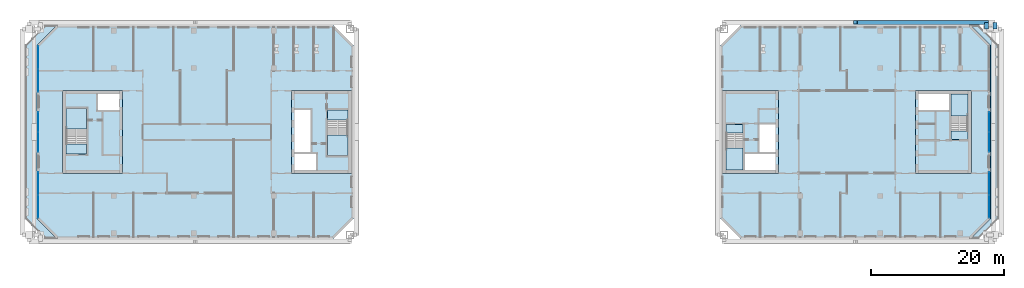
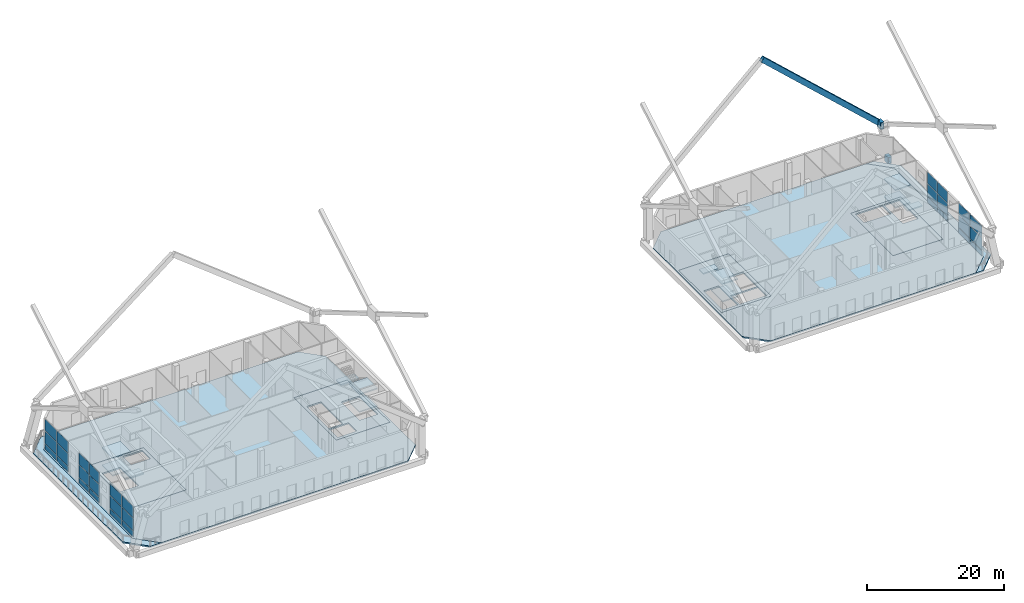
# One storey, part 7 of 20: 30 plates, 20 slabs, 2 beams, 1 member, 9 elements without a shape of their own.
"""IFC4 building model written with IfcOpenShell, lengths in metres."""

from ifc_helpers import new_model, si_unit, direction, frame, origin, origin_2d, place, context, subcontext, project, spatial, polyline, rectangle, hollow_rectangle, outline, extrude, material, layer, layer_set, material_profile, profile_set, type_object, element, aggregate, save


model = new_model("IFC4")

# Units and contexts
model_context = context("Model", 3, precision=1e-05, world=origin(), true_north=direction((0.0, 1.0)))
body_context = subcontext(model_context, "Body", "Model", "MODEL_VIEW")
ifc_project = project(units=[si_unit("LENGTHUNIT", "METRE"), si_unit("AREAUNIT", "SQUARE_METRE"), si_unit("VOLUMEUNIT", "CUBIC_METRE"), si_unit("PLANEANGLEUNIT", "RADIAN"), si_unit("MASSUNIT", "GRAM", prefix="KILO")], contexts=[model_context])

# Site, building, storey
site_placement = place(None, origin())
site = spatial("IfcSite", under=ifc_project, at=site_placement, CompositionType="ELEMENT")
building_placement = place(site_placement, origin())
building = spatial("IfcBuilding", under=site, at=building_placement, Name="Tuart Gate Housing", CompositionType="ELEMENT")
storey_placement = place(building_placement, frame((0.0, 0.0, 142.300048828125)))
storey = spatial("IfcBuildingStorey", under=building, at=storey_placement, Name="L40", CompositionType="ELEMENT", Elevation=142.300048828125)

# Beams
ifc_material_1 = material(Name="Steel Grade 350", Category="steel")
ifc_material_profile_1 = material_profile(ifc_material_1, hollow_rectangle(XDim=0.60009765625, YDim=1.199951171875, WallThickness=0.0400390625, at=origin_2d()), Name="BOX 1200x600x40")
ifc_profile_set_1 = profile_set([ifc_material_profile_1], Name="Steel Grade 350")
beam_type = type_object("IfcBeamType", Name="Brace shoe BOX 1200x600x40", PredefinedType="BEAM", material=ifc_profile_set_1)
for number, where, z_axis, x_axis, name in (
    (1, (172.199951171875, 85.449951171875, -0.400146484375), (0.0, 1.0, 0.0), (-1.0, 0.0, 0.0), "Mega tie beam B node 5 north shoe 1 L40"),
    (2, (170.949951171875, 85.449951171875, 6.199951171875), (0.0, 1.0, 0.0), (-1.0, 0.0, 0.0), "Mega brace shoe B zone 6 north chevron 2"),
):
    element("IfcBeam", number, at=place(storey_placement, frame(where, z_axis=z_axis, x_axis=x_axis)), inside=storey, type_object=beam_type, Name=name, PredefinedType="BEAM", context=body_context, shape_type="SweptSolid", body=[
        extrude(hollow_rectangle(XDim=0.60009765625, YDim=1.199951171875, WallThickness=0.0400390625, at=origin_2d()), origin(), (0.0, 0.0, 1.0), 1.0),
    ])

# Member
ifc_material_2 = material(Name="Steel Grade 350", Category="steel")
ifc_material_profile_2 = material_profile(ifc_material_2, hollow_rectangle(XDim=0.60009765625, YDim=0.85009765625, WallThickness=0.0419921875, at=origin_2d()), Name="BOX 850x600x42")
ifc_profile_set_2 = profile_set([ifc_material_profile_2], Name="Steel Grade 350")
member_type = type_object("IfcMemberType", Name="Mega brace BOX 850x600x42", PredefinedType="BRACE", material=ifc_profile_set_2)
member_placement = place(storey_placement, frame((170.949951171875, 86.449951171875, 6.199951171875), z_axis=(-0.734517555913, 0.0, 0.678589684607), x_axis=(0.0, -1.0, 0.0)))
element("IfcMember", 3, at=member_placement, inside=storey, type_object=member_type, Name="Mega brace B zone 6 north chevron 2", PredefinedType="BRACE", context=body_context, shape_type="SweptSolid", body=[
    extrude(hollow_rectangle(XDim=0.60009765625, YDim=0.85009765625, WallThickness=0.0419921875, at=origin_2d()), origin(), (0.0, 0.0, 1.0), 26.8203125),
])

# Slabs
ifc_material_3 = material(Name="Concrete C40", Category="concrete")
ifc_layer_1 = layer(ifc_material_3, 0.25)
ifc_layer_set_1 = layer_set([ifc_layer_1], Name="Core floor slab 250")
slab_type_1 = type_object("IfcSlabType", Name="Core floor slab 250", PredefinedType="FLOOR", material=ifc_layer_set_1)
slab_1_placement = place(storey_placement, frame((0.0, 0.0, -0.25)))
element("IfcSlab", 4, at=slab_1_placement, inside=storey, type_object=slab_type_1, Name="Core floor AG", PredefinedType="FLOOR", context=body_context, shape_type="SweptSolid", body=[
    extrude(outline(polyline([(66.639892578125, 63.800048828125), (75.639892578125, 63.800048828125), (75.639892578125, 76.199951171875), (66.639892578125, 76.199951171875), (66.639892578125, 63.800048828125)]), holes=[polyline([(67.139892578125, 64.300048828125), (70.385009765625, 64.300048828125), (70.385009765625, 66.72509765625), (67.139892578125, 66.72509765625), (67.139892578125, 64.300048828125)]), polyline([(67.139892578125, 66.97509765625), (69.56494140625, 66.97509765625), (69.56494140625, 73.324951171875), (67.139892578125, 73.324951171875), (67.139892578125, 66.97509765625)]), polyline([(72.06494140625, 66.47509765625), (75.139892578125, 66.47509765625), (75.139892578125, 71.804931640625), (72.06494140625, 71.804931640625), (72.06494140625, 66.47509765625)])]), origin(), (0.0, 0.0, 1.0), 0.25),
])
slab_2_placement = place(storey_placement, frame((0.0, 0.0, -0.25)))
element("IfcSlab", 5, at=slab_2_placement, inside=storey, type_object=slab_type_1, Name="Core floor AK", PredefinedType="FLOOR", context=body_context, shape_type="SweptSolid", body=[
    extrude(outline(polyline([(32.360107421875, 63.800048828125), (41.360107421875, 63.800048828125), (41.360107421875, 76.199951171875), (32.360107421875, 76.199951171875), (32.360107421875, 63.800048828125)]), holes=[polyline([(40.860107421875, 75.699951171875), (37.614990234375, 75.699951171875), (37.614990234375, 73.27490234375), (40.860107421875, 73.27490234375), (40.860107421875, 75.699951171875)]), polyline([(35.93505859375, 73.52490234375), (32.860107421875, 73.52490234375), (32.860107421875, 68.195068359375), (35.93505859375, 68.195068359375), (35.93505859375, 73.52490234375)])]), origin(), (0.0, 0.0, 1.0), 0.25),
])
slab_3_placement = place(storey_placement, frame((0.0, 0.0, -0.25)))
element("IfcSlab", 6, at=slab_3_placement, inside=storey, type_object=slab_type_1, Name="Core floor BG", PredefinedType="FLOOR", context=body_context, shape_type="SweptSolid", body=[
    extrude(outline(polyline([(131.360107421875, 63.800048828125), (139.760009765625, 63.800048828125), (139.760009765625, 76.199951171875), (131.360107421875, 76.199951171875), (131.360107421875, 63.800048828125)]), holes=[polyline([(139.260009765625, 66.85009765625), (134.68505859375, 66.85009765625), (134.68505859375, 64.300048828125), (139.260009765625, 64.300048828125), (139.260009765625, 66.85009765625)]), polyline([(139.260009765625, 71.125), (136.8349609375, 71.125), (136.8349609375, 66.97509765625), (139.260009765625, 66.97509765625), (139.260009765625, 71.125)]), polyline([(134.43505859375, 69.85498046875), (131.860107421875, 69.85498046875), (131.860107421875, 64.300048828125), (134.43505859375, 64.300048828125), (134.43505859375, 69.85498046875)])]), origin(), (0.0, 0.0, 1.0), 0.25),
])
slab_4_placement = place(storey_placement, frame((0.0, 0.0, -0.25)))
element("IfcSlab", 7, at=slab_4_placement, inside=storey, type_object=slab_type_1, Name="Core floor BK", PredefinedType="FLOOR", context=body_context, shape_type="SweptSolid", body=[
    extrude(outline(polyline([(160.239990234375, 63.800048828125), (168.639892578125, 63.800048828125), (168.639892578125, 76.199951171875), (160.239990234375, 76.199951171875), (160.239990234375, 63.800048828125)]), holes=[polyline([(160.739990234375, 73.14990234375), (165.31494140625, 73.14990234375), (165.31494140625, 75.699951171875), (160.739990234375, 75.699951171875), (160.739990234375, 73.14990234375)]), polyline([(165.56494140625, 70.14501953125), (168.139892578125, 70.14501953125), (168.139892578125, 75.699951171875), (165.56494140625, 75.699951171875), (165.56494140625, 70.14501953125)])]), origin(), (0.0, 0.0, 1.0), 0.25),
])
ifc_material_4 = material(Name="Concrete C40", Category="concrete")
ifc_layer_2 = layer(ifc_material_4, 0.25)
ifc_layer_set_2 = layer_set([ifc_layer_2], Name="Flat plate 250")
slab_type_2 = type_object("IfcSlabType", Name="Flat plate 250", PredefinedType="FLOOR", material=ifc_layer_set_2)
slab_5_placement = place(storey_placement, frame((0.0, 0.0, -0.25)))
element("IfcSlab", 8, at=slab_5_placement, inside=storey, type_object=slab_type_2, Name="Floor slab A L40", PredefinedType="FLOOR", context=body_context, shape_type="SweptSolid", body=[
    extrude(outline(polyline([(31.5, 86.0), (28.5, 83.0), (28.5, 57.0), (31.5, 54.0), (73.0, 54.0), (76.0, 57.0), (76.0, 83.0), (73.0, 86.0), (31.5, 86.0)]), holes=[polyline([(66.639892578125, 76.199951171875), (75.639892578125, 76.199951171875), (75.639892578125, 63.800048828125), (66.639892578125, 63.800048828125), (66.639892578125, 76.199951171875)]), polyline([(41.360107421875, 76.199951171875), (41.360107421875, 63.800048828125), (32.360107421875, 63.800048828125), (32.360107421875, 76.199951171875), (41.360107421875, 76.199951171875)])]), origin(), (0.0, 0.0, 1.0), 0.25),
])
slab_6_placement = place(storey_placement, frame((0.0, 0.0, -0.25)))
element("IfcSlab", 9, at=slab_6_placement, inside=storey, type_object=slab_type_2, Name="Floor slab B L40", PredefinedType="FLOOR", context=body_context, shape_type="SweptSolid", body=[
    extrude(outline(polyline([(134.0, 86.0), (131.0, 83.0), (131.0, 57.0), (134.0, 54.0), (168.5, 54.0), (171.5, 57.0), (171.5, 83.0), (168.5, 86.0), (134.0, 86.0)]), holes=[polyline([(131.360107421875, 76.199951171875), (139.760009765625, 76.199951171875), (139.760009765625, 63.800048828125), (131.360107421875, 63.800048828125), (131.360107421875, 76.199951171875)]), polyline([(168.639892578125, 76.199951171875), (168.639892578125, 63.800048828125), (160.239990234375, 63.800048828125), (160.239990234375, 76.199951171875), (168.639892578125, 76.199951171875)])]), origin(), (0.0, 0.0, 1.0), 0.25),
])

# Curtain wall, plates
ifc_material_5 = material(Name="Aluminium and clear glass", Category="aluminium")
curtain_wall_type = type_object("IfcCurtainWallType", Name="Sky garden front glazing", PredefinedType="USERDEFINED", material=ifc_material_5)
curtain_wall_1_placement = place(storey_placement, origin())
curtain_wall_1 = element("IfcCurtainWall", 10, at=curtain_wall_1_placement, inside=storey, type_object=curtain_wall_type, Name="Sky garden front glazing A-W L40", ObjectType="SKY GARDEN FRONT GLAZING", PredefinedType="USERDEFINED")
ifc_material_6 = material(Name="Clear glass", Category="glass")
ifc_layer_3 = layer(ifc_material_6, 0.028076171875)
ifc_layer_set_3 = layer_set([ifc_layer_3], Name="Glazed panel 28")
plate_type = type_object("IfcPlateType", Name="Glazed panel 28", PredefinedType="CURTAIN_PANEL", material=ifc_layer_set_3)
plate_1_placement = place(storey_placement, frame((28.679931640625, 81.178955078125, 0.119873046875), z_axis=(0.0, 0.0, 1.0), x_axis=(0.0, -1.0, 0.0)))
plate_1 = element("IfcPlate", 11, at=plate_1_placement, type_object=plate_type, Name="CW4 panel 1.1", PredefinedType="CURTAIN_PANEL", context=body_context, shape_type="SweptSolid", body=[
    extrude(rectangle(XDim=3.372802734375, YDim=0.028076171875, at=origin_2d()), origin(), (0.0, 0.0, 1.0), 0.919921875),
])
plate_2_placement = place(storey_placement, frame((28.679931640625, 81.178955078125, 1.16015625), z_axis=(0.0, 0.0, 1.0), x_axis=(0.0, -1.0, 0.0)))
plate_2 = element("IfcPlate", 12, at=plate_2_placement, type_object=plate_type, Name="CW4 panel 1.2", PredefinedType="CURTAIN_PANEL", context=body_context, shape_type="SweptSolid", body=[
    extrude(rectangle(XDim=3.372802734375, YDim=0.028076171875, at=origin_2d()), origin(), (0.0, 0.0, 1.0), 2.179931640625),
])
plate_3_placement = place(storey_placement, frame((28.679931640625, 81.178955078125, 3.4599609375), z_axis=(0.0, 0.0, 1.0), x_axis=(0.0, -1.0, 0.0)))
plate_3 = element("IfcPlate", 13, at=plate_3_placement, type_object=plate_type, Name="CW4 panel 1.3", PredefinedType="CURTAIN_PANEL", context=body_context, shape_type="SweptSolid", body=[
    extrude(rectangle(XDim=3.372802734375, YDim=0.028076171875, at=origin_2d()), origin(), (0.0, 0.0, 1.0), 2.02001953125),
])
plate_4_placement = place(storey_placement, frame((28.679931640625, 77.746337890625, 0.119873046875), z_axis=(0.0, 0.0, 1.0), x_axis=(0.0, -1.0, 0.0)))
plate_4 = element("IfcPlate", 14, at=plate_4_placement, type_object=plate_type, Name="CW4 panel 2.1", PredefinedType="CURTAIN_PANEL", context=body_context, shape_type="SweptSolid", body=[
    extrude(rectangle(XDim=3.372802734375, YDim=0.028076171875, at=origin_2d()), origin(), (0.0, 0.0, 1.0), 0.919921875),
])
plate_5_placement = place(storey_placement, frame((28.679931640625, 77.746337890625, 1.16015625), z_axis=(0.0, 0.0, 1.0), x_axis=(0.0, -1.0, 0.0)))
plate_5 = element("IfcPlate", 15, at=plate_5_placement, type_object=plate_type, Name="CW4 panel 2.2", PredefinedType="CURTAIN_PANEL", context=body_context, shape_type="SweptSolid", body=[
    extrude(rectangle(XDim=3.372802734375, YDim=0.028076171875, at=origin_2d()), origin(), (0.0, 0.0, 1.0), 2.179931640625),
])
plate_6_placement = place(storey_placement, frame((28.679931640625, 77.746337890625, 3.4599609375), z_axis=(0.0, 0.0, 1.0), x_axis=(0.0, -1.0, 0.0)))
plate_6 = element("IfcPlate", 16, at=plate_6_placement, type_object=plate_type, Name="CW4 panel 2.3", PredefinedType="CURTAIN_PANEL", context=body_context, shape_type="SweptSolid", body=[
    extrude(rectangle(XDim=3.372802734375, YDim=0.028076171875, at=origin_2d()), origin(), (0.0, 0.0, 1.0), 2.02001953125),
])
aggregate(curtain_wall_1, [plate_1, plate_2, plate_3, plate_4, plate_5, plate_6])

curtain_wall_2_placement = place(storey_placement, origin())
curtain_wall_2 = element("IfcCurtainWall", 17, at=curtain_wall_2_placement, inside=storey, type_object=curtain_wall_type, Name="Sky garden front glazing A-W L40", ObjectType="SKY GARDEN FRONT GLAZING", PredefinedType="USERDEFINED")
plate_7_placement = place(storey_placement, frame((28.679931640625, 71.485107421875, 0.119873046875), z_axis=(0.0, 0.0, 1.0), x_axis=(0.0, -1.0, 0.0)))
plate_7 = element("IfcPlate", 18, at=plate_7_placement, type_object=plate_type, Name="CW4 panel 1.1", PredefinedType="CURTAIN_PANEL", context=body_context, shape_type="SweptSolid", body=[
    extrude(rectangle(XDim=2.909912109375, YDim=0.028076171875, at=origin_2d()), origin(), (0.0, 0.0, 1.0), 0.919921875),
])
plate_8_placement = place(storey_placement, frame((28.679931640625, 71.485107421875, 1.16015625), z_axis=(0.0, 0.0, 1.0), x_axis=(0.0, -1.0, 0.0)))
plate_8 = element("IfcPlate", 19, at=plate_8_placement, type_object=plate_type, Name="CW4 panel 1.2", PredefinedType="CURTAIN_PANEL", context=body_context, shape_type="SweptSolid", body=[
    extrude(rectangle(XDim=2.909912109375, YDim=0.028076171875, at=origin_2d()), origin(), (0.0, 0.0, 1.0), 2.179931640625),
])
plate_9_placement = place(storey_placement, frame((28.679931640625, 71.485107421875, 3.4599609375), z_axis=(0.0, 0.0, 1.0), x_axis=(0.0, -1.0, 0.0)))
plate_9 = element("IfcPlate", 20, at=plate_9_placement, type_object=plate_type, Name="CW4 panel 1.3", PredefinedType="CURTAIN_PANEL", context=body_context, shape_type="SweptSolid", body=[
    extrude(rectangle(XDim=2.909912109375, YDim=0.028076171875, at=origin_2d()), origin(), (0.0, 0.0, 1.0), 2.02001953125),
])
plate_10_placement = place(storey_placement, frame((28.679931640625, 68.514892578125, 0.119873046875), z_axis=(0.0, 0.0, 1.0), x_axis=(0.0, -1.0, 0.0)))
plate_10 = element("IfcPlate", 21, at=plate_10_placement, type_object=plate_type, Name="CW4 panel 2.1", PredefinedType="CURTAIN_PANEL", context=body_context, shape_type="SweptSolid", body=[
    extrude(rectangle(XDim=2.909912109375, YDim=0.028076171875, at=origin_2d()), origin(), (0.0, 0.0, 1.0), 0.919921875),
])
plate_11_placement = place(storey_placement, frame((28.679931640625, 68.514892578125, 1.16015625), z_axis=(0.0, 0.0, 1.0), x_axis=(0.0, -1.0, 0.0)))
plate_11 = element("IfcPlate", 22, at=plate_11_placement, type_object=plate_type, Name="CW4 panel 2.2", PredefinedType="CURTAIN_PANEL", context=body_context, shape_type="SweptSolid", body=[
    extrude(rectangle(XDim=2.909912109375, YDim=0.028076171875, at=origin_2d()), origin(), (0.0, 0.0, 1.0), 2.179931640625),
])
plate_12_placement = place(storey_placement, frame((28.679931640625, 68.514892578125, 3.4599609375), z_axis=(0.0, 0.0, 1.0), x_axis=(0.0, -1.0, 0.0)))
plate_12 = element("IfcPlate", 23, at=plate_12_placement, type_object=plate_type, Name="CW4 panel 2.3", PredefinedType="CURTAIN_PANEL", context=body_context, shape_type="SweptSolid", body=[
    extrude(rectangle(XDim=2.909912109375, YDim=0.028076171875, at=origin_2d()), origin(), (0.0, 0.0, 1.0), 2.02001953125),
])
aggregate(curtain_wall_2, [plate_7, plate_8, plate_9, plate_10, plate_11, plate_12])

curtain_wall_3_placement = place(storey_placement, origin())
curtain_wall_3 = element("IfcCurtainWall", 24, at=curtain_wall_3_placement, inside=storey, type_object=curtain_wall_type, Name="Sky garden front glazing A-W L40", ObjectType="SKY GARDEN FRONT GLAZING", PredefinedType="USERDEFINED")
plate_13_placement = place(storey_placement, frame((28.679931640625, 62.253662109375, 0.119873046875), z_axis=(0.0, 0.0, 1.0), x_axis=(0.0, -1.0, 0.0)))
plate_13 = element("IfcPlate", 25, at=plate_13_placement, type_object=plate_type, Name="CW4 panel 1.1", PredefinedType="CURTAIN_PANEL", context=body_context, shape_type="SweptSolid", body=[
    extrude(rectangle(XDim=3.372802734375, YDim=0.028076171875, at=origin_2d()), origin(), (0.0, 0.0, 1.0), 0.919921875),
])
plate_14_placement = place(storey_placement, frame((28.679931640625, 62.253662109375, 1.16015625), z_axis=(0.0, 0.0, 1.0), x_axis=(0.0, -1.0, 0.0)))
plate_14 = element("IfcPlate", 26, at=plate_14_placement, type_object=plate_type, Name="CW4 panel 1.2", PredefinedType="CURTAIN_PANEL", context=body_context, shape_type="SweptSolid", body=[
    extrude(rectangle(XDim=3.372802734375, YDim=0.028076171875, at=origin_2d()), origin(), (0.0, 0.0, 1.0), 2.179931640625),
])
plate_15_placement = place(storey_placement, frame((28.679931640625, 62.253662109375, 3.4599609375), z_axis=(0.0, 0.0, 1.0), x_axis=(0.0, -1.0, 0.0)))
plate_15 = element("IfcPlate", 27, at=plate_15_placement, type_object=plate_type, Name="CW4 panel 1.3", PredefinedType="CURTAIN_PANEL", context=body_context, shape_type="SweptSolid", body=[
    extrude(rectangle(XDim=3.372802734375, YDim=0.028076171875, at=origin_2d()), origin(), (0.0, 0.0, 1.0), 2.02001953125),
])
plate_16_placement = place(storey_placement, frame((28.679931640625, 58.82080078125, 0.119873046875), z_axis=(0.0, 0.0, 1.0), x_axis=(0.0, -1.0, 0.0)))
plate_16 = element("IfcPlate", 28, at=plate_16_placement, type_object=plate_type, Name="CW4 panel 2.1", PredefinedType="CURTAIN_PANEL", context=body_context, shape_type="SweptSolid", body=[
    extrude(rectangle(XDim=3.372802734375, YDim=0.028076171875, at=origin_2d()), origin(), (0.0, 0.0, 1.0), 0.919921875),
])
plate_17_placement = place(storey_placement, frame((28.679931640625, 58.82080078125, 1.16015625), z_axis=(0.0, 0.0, 1.0), x_axis=(0.0, -1.0, 0.0)))
plate_17 = element("IfcPlate", 29, at=plate_17_placement, type_object=plate_type, Name="CW4 panel 2.2", PredefinedType="CURTAIN_PANEL", context=body_context, shape_type="SweptSolid", body=[
    extrude(rectangle(XDim=3.372802734375, YDim=0.028076171875, at=origin_2d()), origin(), (0.0, 0.0, 1.0), 2.179931640625),
])
plate_18_placement = place(storey_placement, frame((28.679931640625, 58.82080078125, 3.4599609375), z_axis=(0.0, 0.0, 1.0), x_axis=(0.0, -1.0, 0.0)))
plate_18 = element("IfcPlate", 30, at=plate_18_placement, type_object=plate_type, Name="CW4 panel 2.3", PredefinedType="CURTAIN_PANEL", context=body_context, shape_type="SweptSolid", body=[
    extrude(rectangle(XDim=3.372802734375, YDim=0.028076171875, at=origin_2d()), origin(), (0.0, 0.0, 1.0), 2.02001953125),
])
aggregate(curtain_wall_3, [plate_13, plate_14, plate_15, plate_16, plate_17, plate_18])

curtain_wall_4_placement = place(storey_placement, origin())
curtain_wall_4 = element("IfcCurtainWall", 31, at=curtain_wall_4_placement, inside=storey, type_object=curtain_wall_type, Name="Sky garden front glazing B-E L40", ObjectType="SKY GARDEN FRONT GLAZING", PredefinedType="USERDEFINED")
plate_19_placement = place(storey_placement, frame((171.320068359375, 58.821044921875, 0.119873046875), z_axis=(0.0, 0.0, 1.0), x_axis=(0.0, 1.0, 0.0)))
plate_19 = element("IfcPlate", 32, at=plate_19_placement, type_object=plate_type, Name="CW4 panel 1.1", PredefinedType="CURTAIN_PANEL", context=body_context, shape_type="SweptSolid", body=[
    extrude(rectangle(XDim=3.372802734375, YDim=0.028076171875, at=origin_2d()), origin(), (0.0, 0.0, 1.0), 0.919921875),
])
plate_20_placement = place(storey_placement, frame((171.320068359375, 58.821044921875, 1.16015625), z_axis=(0.0, 0.0, 1.0), x_axis=(0.0, 1.0, 0.0)))
plate_20 = element("IfcPlate", 33, at=plate_20_placement, type_object=plate_type, Name="CW4 panel 1.2", PredefinedType="CURTAIN_PANEL", context=body_context, shape_type="SweptSolid", body=[
    extrude(rectangle(XDim=3.372802734375, YDim=0.028076171875, at=origin_2d()), origin(), (0.0, 0.0, 1.0), 2.179931640625),
])
plate_21_placement = place(storey_placement, frame((171.320068359375, 58.821044921875, 3.4599609375), z_axis=(0.0, 0.0, 1.0), x_axis=(0.0, 1.0, 0.0)))
plate_21 = element("IfcPlate", 34, at=plate_21_placement, type_object=plate_type, Name="CW4 panel 1.3", PredefinedType="CURTAIN_PANEL", context=body_context, shape_type="SweptSolid", body=[
    extrude(rectangle(XDim=3.372802734375, YDim=0.028076171875, at=origin_2d()), origin(), (0.0, 0.0, 1.0), 2.02001953125),
])
plate_22_placement = place(storey_placement, frame((171.320068359375, 62.253662109375, 0.119873046875), z_axis=(0.0, 0.0, 1.0), x_axis=(0.0, 1.0, 0.0)))
plate_22 = element("IfcPlate", 35, at=plate_22_placement, type_object=plate_type, Name="CW4 panel 2.1", PredefinedType="CURTAIN_PANEL", context=body_context, shape_type="SweptSolid", body=[
    extrude(rectangle(XDim=3.372802734375, YDim=0.028076171875, at=origin_2d()), origin(), (0.0, 0.0, 1.0), 0.919921875),
])
plate_23_placement = place(storey_placement, frame((171.320068359375, 62.253662109375, 1.16015625), z_axis=(0.0, 0.0, 1.0), x_axis=(0.0, 1.0, 0.0)))
plate_23 = element("IfcPlate", 36, at=plate_23_placement, type_object=plate_type, Name="CW4 panel 2.2", PredefinedType="CURTAIN_PANEL", context=body_context, shape_type="SweptSolid", body=[
    extrude(rectangle(XDim=3.372802734375, YDim=0.028076171875, at=origin_2d()), origin(), (0.0, 0.0, 1.0), 2.179931640625),
])
plate_24_placement = place(storey_placement, frame((171.320068359375, 62.253662109375, 3.4599609375), z_axis=(0.0, 0.0, 1.0), x_axis=(0.0, 1.0, 0.0)))
plate_24 = element("IfcPlate", 37, at=plate_24_placement, type_object=plate_type, Name="CW4 panel 2.3", PredefinedType="CURTAIN_PANEL", context=body_context, shape_type="SweptSolid", body=[
    extrude(rectangle(XDim=3.372802734375, YDim=0.028076171875, at=origin_2d()), origin(), (0.0, 0.0, 1.0), 2.02001953125),
])
aggregate(curtain_wall_4, [plate_19, plate_20, plate_21, plate_22, plate_23, plate_24])

curtain_wall_5_placement = place(storey_placement, origin())
curtain_wall_5 = element("IfcCurtainWall", 38, at=curtain_wall_5_placement, inside=storey, type_object=curtain_wall_type, Name="Sky garden front glazing B-E L40", ObjectType="SKY GARDEN FRONT GLAZING", PredefinedType="USERDEFINED")
plate_25_placement = place(storey_placement, frame((171.320068359375, 68.514892578125, 0.119873046875), z_axis=(0.0, 0.0, 1.0), x_axis=(0.0, 1.0, 0.0)))
plate_25 = element("IfcPlate", 39, at=plate_25_placement, type_object=plate_type, Name="CW4 panel 1.1", PredefinedType="CURTAIN_PANEL", context=body_context, shape_type="SweptSolid", body=[
    extrude(rectangle(XDim=2.909912109375, YDim=0.028076171875, at=origin_2d()), origin(), (0.0, 0.0, 1.0), 0.919921875),
])
plate_26_placement = place(storey_placement, frame((171.320068359375, 68.514892578125, 1.16015625), z_axis=(0.0, 0.0, 1.0), x_axis=(0.0, 1.0, 0.0)))
plate_26 = element("IfcPlate", 40, at=plate_26_placement, type_object=plate_type, Name="CW4 panel 1.2", PredefinedType="CURTAIN_PANEL", context=body_context, shape_type="SweptSolid", body=[
    extrude(rectangle(XDim=2.909912109375, YDim=0.028076171875, at=origin_2d()), origin(), (0.0, 0.0, 1.0), 2.179931640625),
])
plate_27_placement = place(storey_placement, frame((171.320068359375, 68.514892578125, 3.4599609375), z_axis=(0.0, 0.0, 1.0), x_axis=(0.0, 1.0, 0.0)))
plate_27 = element("IfcPlate", 41, at=plate_27_placement, type_object=plate_type, Name="CW4 panel 1.3", PredefinedType="CURTAIN_PANEL", context=body_context, shape_type="SweptSolid", body=[
    extrude(rectangle(XDim=2.909912109375, YDim=0.028076171875, at=origin_2d()), origin(), (0.0, 0.0, 1.0), 2.02001953125),
])
plate_28_placement = place(storey_placement, frame((171.320068359375, 71.485107421875, 0.119873046875), z_axis=(0.0, 0.0, 1.0), x_axis=(0.0, 1.0, 0.0)))
plate_28 = element("IfcPlate", 42, at=plate_28_placement, type_object=plate_type, Name="CW4 panel 2.1", PredefinedType="CURTAIN_PANEL", context=body_context, shape_type="SweptSolid", body=[
    extrude(rectangle(XDim=2.909912109375, YDim=0.028076171875, at=origin_2d()), origin(), (0.0, 0.0, 1.0), 0.919921875),
])
plate_29_placement = place(storey_placement, frame((171.320068359375, 71.485107421875, 1.16015625), z_axis=(0.0, 0.0, 1.0), x_axis=(0.0, 1.0, 0.0)))
plate_29 = element("IfcPlate", 43, at=plate_29_placement, type_object=plate_type, Name="CW4 panel 2.2", PredefinedType="CURTAIN_PANEL", context=body_context, shape_type="SweptSolid", body=[
    extrude(rectangle(XDim=2.909912109375, YDim=0.028076171875, at=origin_2d()), origin(), (0.0, 0.0, 1.0), 2.179931640625),
])
plate_30_placement = place(storey_placement, frame((171.320068359375, 71.485107421875, 3.4599609375), z_axis=(0.0, 0.0, 1.0), x_axis=(0.0, 1.0, 0.0)))
plate_30 = element("IfcPlate", 44, at=plate_30_placement, type_object=plate_type, Name="CW4 panel 2.3", PredefinedType="CURTAIN_PANEL", context=body_context, shape_type="SweptSolid", body=[
    extrude(rectangle(XDim=2.909912109375, YDim=0.028076171875, at=origin_2d()), origin(), (0.0, 0.0, 1.0), 2.02001953125),
])
aggregate(curtain_wall_5, [plate_25, plate_26, plate_27, plate_28, plate_29, plate_30])

# Slabs
ifc_material_7 = material(Name="Concrete C40", Category="concrete")
ifc_layer_4 = layer(ifc_material_7, 0.25)
ifc_layer_set_4 = layer_set([ifc_layer_4], Name="Roof slab 250")
slab_type_3 = type_object("IfcSlabType", Name="Roof slab 250", PredefinedType="ROOF", material=ifc_layer_set_4)
slab_7_placement = place(storey_placement, frame((0.0, 0.0, -0.25)))
element("IfcSlab", 45, at=slab_7_placement, inside=storey, type_object=slab_type_3, Name="Setback roof slab A L40", PredefinedType="ROOF", context=body_context, shape_type="SweptSolid", body=[
    extrude(outline(polyline([(29.75, 54.0), (31.5, 54.0), (28.5, 57.0), (28.5, 83.0), (31.5, 86.0), (29.75, 86.0), (26.75, 83.0), (26.75, 57.0), (29.75, 54.0)])), origin(), (0.0, 0.0, 1.0), 0.25),
])
slab_8_placement = place(storey_placement, frame((0.0, 0.0, -0.25)))
element("IfcSlab", 46, at=slab_8_placement, inside=storey, type_object=slab_type_3, Name="Setback roof slab B L40", PredefinedType="ROOF", context=body_context, shape_type="SweptSolid", body=[
    extrude(outline(polyline([(169.75, 86.0), (168.5, 86.0), (171.5, 83.0), (171.5, 57.0), (168.5, 54.0), (169.75, 54.0), (172.75, 57.0), (172.75, 83.0), (169.75, 86.0)])), origin(), (0.0, 0.0, 1.0), 0.25),
])

# Stair, slabs
ifc_material_8 = material(Name="Concrete C40", Category="concrete")
stair_type_1 = type_object("IfcStairType", Name="Core stair 1500", PredefinedType="HALF_TURN_STAIR", material=ifc_material_8)
stair_1_placement = place(storey_placement, origin())
stair_1 = element("IfcStair", 47, at=stair_1_placement, inside=storey, type_object=stair_type_1, Name="Stair SA1", PredefinedType="HALF_TURN_STAIR")
ifc_material_9 = material(Name="Concrete C40", Category="concrete")
ifc_layer_5 = layer(ifc_material_9, 0.199951171875)
ifc_layer_set_5 = layer_set([ifc_layer_5], Name="Stair landing 200")
slab_type_4 = type_object("IfcSlabType", Name="Stair landing 200", PredefinedType="LANDING", material=ifc_layer_set_5)
slab_9_placement = place(storey_placement, frame((0.0, 0.0, 1.349853515625)))
slab_9 = element("IfcSlab", 48, at=slab_9_placement, type_object=slab_type_4, Name="SA1 landing 1", PredefinedType="LANDING", context=body_context, shape_type="SweptSolid", body=[
    extrude(outline(polyline([(72.06494140625, 66.47509765625), (75.139892578125, 66.47509765625), (75.139892578125, 69.5849609375), (72.06494140625, 69.5849609375), (72.06494140625, 66.47509765625)])), origin(), (0.0, 0.0, 1.0), 0.2001953125),
])
slab_10_placement = place(storey_placement, frame((0.0, 0.0, 2.89990234375)))
slab_10 = element("IfcSlab", 49, at=slab_10_placement, type_object=slab_type_4, Name="SA1 landing 2", PredefinedType="LANDING", context=body_context, shape_type="SweptSolid", body=[
    extrude(outline(polyline([(72.06494140625, 73.324951171875), (72.06494140625, 71.824951171875), (75.139892578125, 71.824951171875), (75.139892578125, 73.324951171875), (72.06494140625, 73.324951171875)])), origin(), (0.0, 0.0, 1.0), 0.199951171875),
])
slab_11_placement = place(storey_placement, frame((0.0, 0.0, 4.449951171875)))
slab_11 = element("IfcSlab", 50, at=slab_11_placement, type_object=slab_type_4, Name="SA1 landing 3", PredefinedType="LANDING", context=body_context, shape_type="SweptSolid", body=[
    extrude(outline(polyline([(72.06494140625, 66.47509765625), (75.139892578125, 66.47509765625), (75.139892578125, 69.5849609375), (72.06494140625, 69.5849609375), (72.06494140625, 66.47509765625)])), origin(), (0.0, 0.0, 1.0), 0.199951171875),
])
aggregate(stair_1, [slab_9, slab_10, slab_11])

stair_2_placement = place(storey_placement, origin())
stair_2 = element("IfcStair", 51, at=stair_2_placement, inside=storey, type_object=stair_type_1, Name="Stair SA2", PredefinedType="HALF_TURN_STAIR")
slab_12_placement = place(storey_placement, frame((0.0, 0.0, 1.349853515625)))
slab_12 = element("IfcSlab", 52, at=slab_12_placement, type_object=slab_type_4, Name="SA2 landing 1", PredefinedType="LANDING", context=body_context, shape_type="SweptSolid", body=[
    extrude(outline(polyline([(35.93505859375, 73.52490234375), (32.860107421875, 73.52490234375), (32.860107421875, 70.4150390625), (35.93505859375, 70.4150390625), (35.93505859375, 73.52490234375)])), origin(), (0.0, 0.0, 1.0), 0.2001953125),
])
slab_13_placement = place(storey_placement, frame((0.0, 0.0, 2.89990234375)))
slab_13 = element("IfcSlab", 53, at=slab_13_placement, type_object=slab_type_4, Name="SA2 landing 2", PredefinedType="LANDING", context=body_context, shape_type="SweptSolid", body=[
    extrude(outline(polyline([(35.93505859375, 66.675048828125), (35.93505859375, 68.175048828125), (32.860107421875, 68.175048828125), (32.860107421875, 66.675048828125), (35.93505859375, 66.675048828125)])), origin(), (0.0, 0.0, 1.0), 0.199951171875),
])
slab_14_placement = place(storey_placement, frame((0.0, 0.0, 4.449951171875)))
slab_14 = element("IfcSlab", 54, at=slab_14_placement, type_object=slab_type_4, Name="SA2 landing 3", PredefinedType="LANDING", context=body_context, shape_type="SweptSolid", body=[
    extrude(outline(polyline([(35.93505859375, 73.52490234375), (32.860107421875, 73.52490234375), (32.860107421875, 70.4150390625), (35.93505859375, 70.4150390625), (35.93505859375, 73.52490234375)])), origin(), (0.0, 0.0, 1.0), 0.199951171875),
])
aggregate(stair_2, [slab_12, slab_13, slab_14])

ifc_material_10 = material(Name="Concrete C40", Category="concrete")
stair_type_2 = type_object("IfcStairType", Name="Core stair 1250", PredefinedType="HALF_TURN_STAIR", material=ifc_material_10)
stair_3_placement = place(storey_placement, origin())
stair_3 = element("IfcStair", 55, at=stair_3_placement, inside=storey, type_object=stair_type_2, Name="Stair SB1", PredefinedType="HALF_TURN_STAIR")
slab_15_placement = place(storey_placement, frame((0.0, 0.0, 1.349853515625)))
slab_15 = element("IfcSlab", 56, at=slab_15_placement, type_object=slab_type_4, Name="SB1 landing 1", PredefinedType="LANDING", context=body_context, shape_type="SweptSolid", body=[
    extrude(outline(polyline([(134.43505859375, 67.635009765625), (131.860107421875, 67.635009765625), (131.860107421875, 64.300048828125), (134.43505859375, 64.300048828125), (134.43505859375, 67.635009765625)])), origin(), (0.0, 0.0, 1.0), 0.2001953125),
])
slab_16_placement = place(storey_placement, frame((0.0, 0.0, 2.89990234375)))
slab_16 = element("IfcSlab", 57, at=slab_16_placement, type_object=slab_type_4, Name="SB1 landing 2", PredefinedType="LANDING", context=body_context, shape_type="SweptSolid", body=[
    extrude(outline(polyline([(131.860107421875, 71.125), (131.860107421875, 69.875), (134.43505859375, 69.875), (134.43505859375, 71.125), (131.860107421875, 71.125)])), origin(), (0.0, 0.0, 1.0), 0.199951171875),
])
slab_17_placement = place(storey_placement, frame((0.0, 0.0, 4.449951171875)))
slab_17 = element("IfcSlab", 58, at=slab_17_placement, type_object=slab_type_4, Name="SB1 landing 3", PredefinedType="LANDING", context=body_context, shape_type="SweptSolid", body=[
    extrude(outline(polyline([(134.43505859375, 67.635009765625), (131.860107421875, 67.635009765625), (131.860107421875, 64.300048828125), (134.43505859375, 64.300048828125), (134.43505859375, 67.635009765625)])), origin(), (0.0, 0.0, 1.0), 0.199951171875),
])
aggregate(stair_3, [slab_15, slab_16, slab_17])

stair_4_placement = place(storey_placement, origin())
stair_4 = element("IfcStair", 59, at=stair_4_placement, inside=storey, type_object=stair_type_2, Name="Stair SB2", PredefinedType="HALF_TURN_STAIR")
slab_18_placement = place(storey_placement, frame((0.0, 0.0, 1.349853515625)))
slab_18 = element("IfcSlab", 60, at=slab_18_placement, type_object=slab_type_4, Name="SB2 landing 1", PredefinedType="LANDING", context=body_context, shape_type="SweptSolid", body=[
    extrude(outline(polyline([(165.56494140625, 72.364990234375), (168.139892578125, 72.364990234375), (168.139892578125, 75.699951171875), (165.56494140625, 75.699951171875), (165.56494140625, 72.364990234375)])), origin(), (0.0, 0.0, 1.0), 0.2001953125),
])
slab_19_placement = place(storey_placement, frame((0.0, 0.0, 2.89990234375)))
slab_19 = element("IfcSlab", 61, at=slab_19_placement, type_object=slab_type_4, Name="SB2 landing 2", PredefinedType="LANDING", context=body_context, shape_type="SweptSolid", body=[
    extrude(outline(polyline([(168.139892578125, 68.875), (168.139892578125, 70.125), (165.56494140625, 70.125), (165.56494140625, 68.875), (168.139892578125, 68.875)])), origin(), (0.0, 0.0, 1.0), 0.199951171875),
])
slab_20_placement = place(storey_placement, frame((0.0, 0.0, 4.449951171875)))
slab_20 = element("IfcSlab", 62, at=slab_20_placement, type_object=slab_type_4, Name="SB2 landing 3", PredefinedType="LANDING", context=body_context, shape_type="SweptSolid", body=[
    extrude(outline(polyline([(165.56494140625, 72.364990234375), (168.139892578125, 72.364990234375), (168.139892578125, 75.699951171875), (165.56494140625, 75.699951171875), (165.56494140625, 72.364990234375)])), origin(), (0.0, 0.0, 1.0), 0.199951171875),
])
aggregate(stair_4, [slab_18, slab_19, slab_20])

save(model, "model.ifc")
